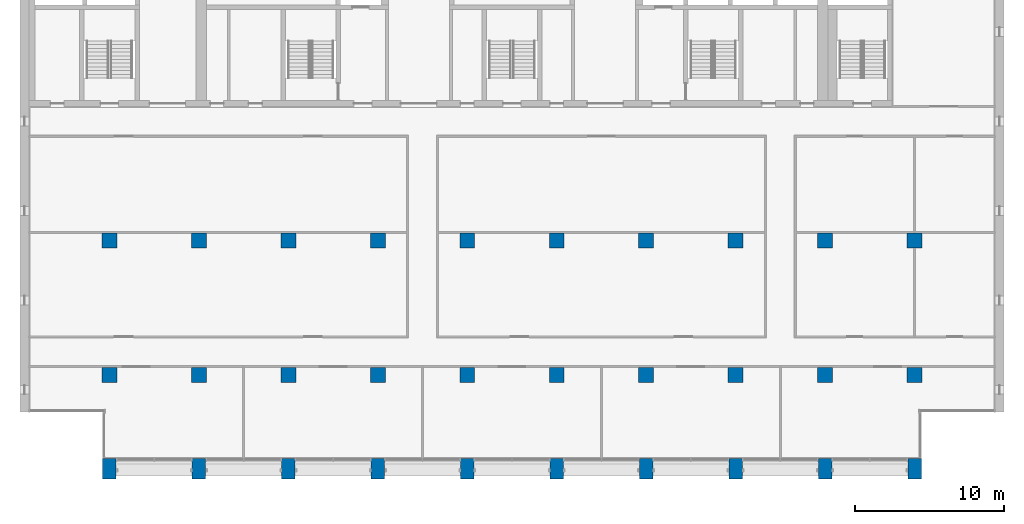
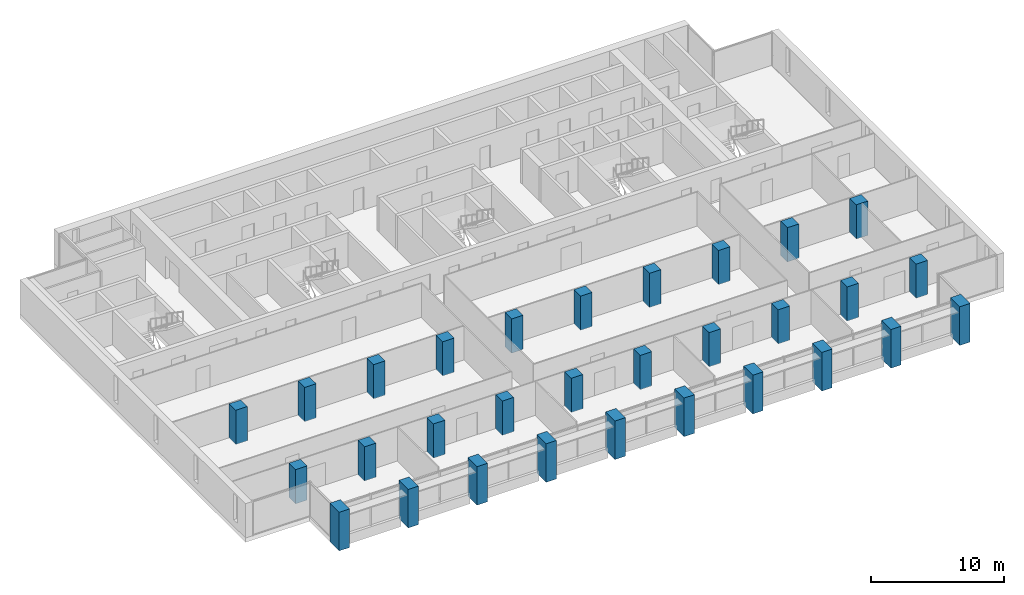
# One storey, part 1 of 16: 30 columns.
"""IFC4 building model written with IfcOpenShell, lengths in metres."""

from ifc_helpers import new_model, si_unit, direction, frame, origin, origin_2d, place, context, subcontext, project, spatial, rectangle, extrude, material, material_profile, profile_set, type_object, element, save


model = new_model("IFC4")

# Units and contexts
model_context = context("Model", 3, precision=1e-05, world=origin(), true_north=direction((0.0, 1.0)))
body_context = subcontext(model_context, "Body", "Model", "MODEL_VIEW")
ifc_project = project(units=[si_unit("LENGTHUNIT", "METRE"), si_unit("AREAUNIT", "SQUARE_METRE"), si_unit("VOLUMEUNIT", "CUBIC_METRE"), si_unit("PLANEANGLEUNIT", "RADIAN"), si_unit("MASSUNIT", "GRAM", prefix="KILO")], contexts=[model_context])

# Site, building, storey
site_placement = place(None, origin())
site = spatial("IfcSite", under=ifc_project, at=site_placement, CompositionType="ELEMENT")
building_placement = place(site_placement, origin())
building = spatial("IfcBuilding", under=site, at=building_placement, Name="Calvaro Tower", CompositionType="ELEMENT")
storey_placement = place(building_placement, frame((0.0, 0.0, 223.0)))
storey = spatial("IfcBuildingStorey", under=building, at=storey_placement, Name="L56", CompositionType="ELEMENT", Elevation=223.0)

# Columns
ifc_material_1 = material(Name="Concrete C50/60", Category="concrete")
ifc_material_profile_1 = material_profile(ifc_material_1, rectangle(XDim=1.0, YDim=1.0, at=origin_2d()), Name="RC 1000x1000")
ifc_profile_set_1 = profile_set([ifc_material_profile_1], Name="Concrete C50/60")
column_type_1 = type_object("IfcColumnType", Name="Column 1000x1000 C50/60", PredefinedType="COLUMN", material=ifc_profile_set_1)
for number, where, z_axis, x_axis, name in (
    (1, (12.0, 10.0, 0.0), (0.0, 0.0, 1.0), (1.0, 0.0, 0.0), "Column 3B"),
    (2, (12.0, 19.0, 0.0), (0.0, 0.0, 1.0), (1.0, 0.0, 0.0), "Column 3C"),
    (3, (18.0, 10.0, 0.0), (0.0, 0.0, 1.0), (1.0, 0.0, 0.0), "Column 4B"),
    (4, (18.0, 19.0, 0.0), (0.0, 0.0, 1.0), (1.0, 0.0, 0.0), "Column 4C"),
    (5, (24.0, 10.0, 0.0), (0.0, 0.0, 1.0), (1.0, 0.0, 0.0), "Column 5B"),
    (6, (24.0, 19.0, 0.0), (0.0, 0.0, 1.0), (1.0, 0.0, 0.0), "Column 5C"),
    (7, (30.0, 10.0, 0.0), (0.0, 0.0, 1.0), (1.0, 0.0, 0.0), "Column 6B"),
    (8, (30.0, 19.0, 0.0), (0.0, 0.0, 1.0), (1.0, 0.0, 0.0), "Column 6C"),
    (9, (36.0, 10.0, 0.0), (0.0, 0.0, 1.0), (1.0, 0.0, 0.0), "Column 7B"),
    (10, (36.0, 19.0, 0.0), (0.0, 0.0, 1.0), (1.0, 0.0, 0.0), "Column 7C"),
    (11, (42.0, 10.0, 0.0), (0.0, 0.0, 1.0), (1.0, 0.0, 0.0), "Column 8B"),
    (12, (42.0, 19.0, 0.0), (0.0, 0.0, 1.0), (1.0, 0.0, 0.0), "Column 8C"),
    (13, (48.0, 10.0, 0.0), (0.0, 0.0, 1.0), (1.0, 0.0, 0.0), "Column 9B"),
    (14, (48.0, 19.0, 0.0), (0.0, 0.0, 1.0), (1.0, 0.0, 0.0), "Column 9C"),
    (15, (54.0, 10.0, 0.0), (0.0, 0.0, 1.0), (1.0, 0.0, 0.0), "Column 10B"),
    (16, (54.0, 19.0, 0.0), (0.0, 0.0, 1.0), (1.0, 0.0, 0.0), "Column 10C"),
    (17, (60.0, 10.0, 0.0), (0.0, 0.0, 1.0), (1.0, 0.0, 0.0), "Column 11B"),
    (18, (60.0, 19.0, 0.0), (0.0, 0.0, 1.0), (1.0, 0.0, 0.0), "Column 11C"),
    (19, (66.0, 10.0, 0.0), (0.0, 0.0, 1.0), (1.0, 0.0, 0.0), "Column 12B"),
    (20, (66.0, 19.0, 0.0), (0.0, 0.0, 1.0), (1.0, 0.0, 0.0), "Column 12C"),
):
    element("IfcColumn", number, at=place(storey_placement, frame(where, z_axis=z_axis, x_axis=x_axis)), inside=storey, type_object=column_type_1, Name=name, PredefinedType="COLUMN", context=body_context, shape_type="SweptSolid", body=[
        extrude(rectangle(XDim=1.0, YDim=1.0, at=origin_2d()), origin(), (0.0, 0.0, 1.0), 3.14990234375),
    ])
ifc_material_2 = material(Name="Concrete C50/60", Category="concrete")
ifc_material_profile_2 = material_profile(ifc_material_2, rectangle(XDim=0.89990234375, YDim=1.39990234375, at=origin_2d()), Name="RC 900x1400")
ifc_profile_set_2 = profile_set([ifc_material_profile_2], Name="Concrete C50/60")
column_type_2 = type_object("IfcColumnType", Name="Pier 900x1400 C50/60", PredefinedType="COLUMN", material=ifc_profile_set_2)
for number, where, z_axis, x_axis, name in (
    (21, (12.0, 3.699951171875, -0.39990234375), (0.0, 0.0, 1.0), (1.0, 0.0, 0.0), "South pier 3"),
    (22, (18.0, 3.699951171875, -0.39990234375), (0.0, 0.0, 1.0), (1.0, 0.0, 0.0), "South pier 4"),
    (23, (24.0, 3.699951171875, -0.39990234375), (0.0, 0.0, 1.0), (1.0, 0.0, 0.0), "South pier 5"),
    (24, (30.0, 3.699951171875, -0.39990234375), (0.0, 0.0, 1.0), (1.0, 0.0, 0.0), "South pier 6"),
    (25, (36.0, 3.699951171875, -0.39990234375), (0.0, 0.0, 1.0), (1.0, 0.0, 0.0), "South pier 7"),
    (26, (42.0, 3.699951171875, -0.39990234375), (0.0, 0.0, 1.0), (1.0, 0.0, 0.0), "South pier 8"),
    (27, (48.0, 3.699951171875, -0.39990234375), (0.0, 0.0, 1.0), (1.0, 0.0, 0.0), "South pier 9"),
    (28, (54.0, 3.699951171875, -0.39990234375), (0.0, 0.0, 1.0), (1.0, 0.0, 0.0), "South pier 10"),
    (29, (60.0, 3.699951171875, -0.39990234375), (0.0, 0.0, 1.0), (1.0, 0.0, 0.0), "South pier 11"),
    (30, (66.0, 3.699951171875, -0.39990234375), (0.0, 0.0, 1.0), (1.0, 0.0, 0.0), "South pier 12"),
):
    element("IfcColumn", number, at=place(storey_placement, frame(where, z_axis=z_axis, x_axis=x_axis)), inside=storey, type_object=column_type_2, Name=name, PredefinedType="COLUMN", context=body_context, shape_type="SweptSolid", body=[
        extrude(rectangle(XDim=0.89990234375, YDim=1.39990234375, at=origin_2d()), origin(), (0.0, 0.0, 1.0), 3.5498046875),
    ])

save(model, "model.ifc")
